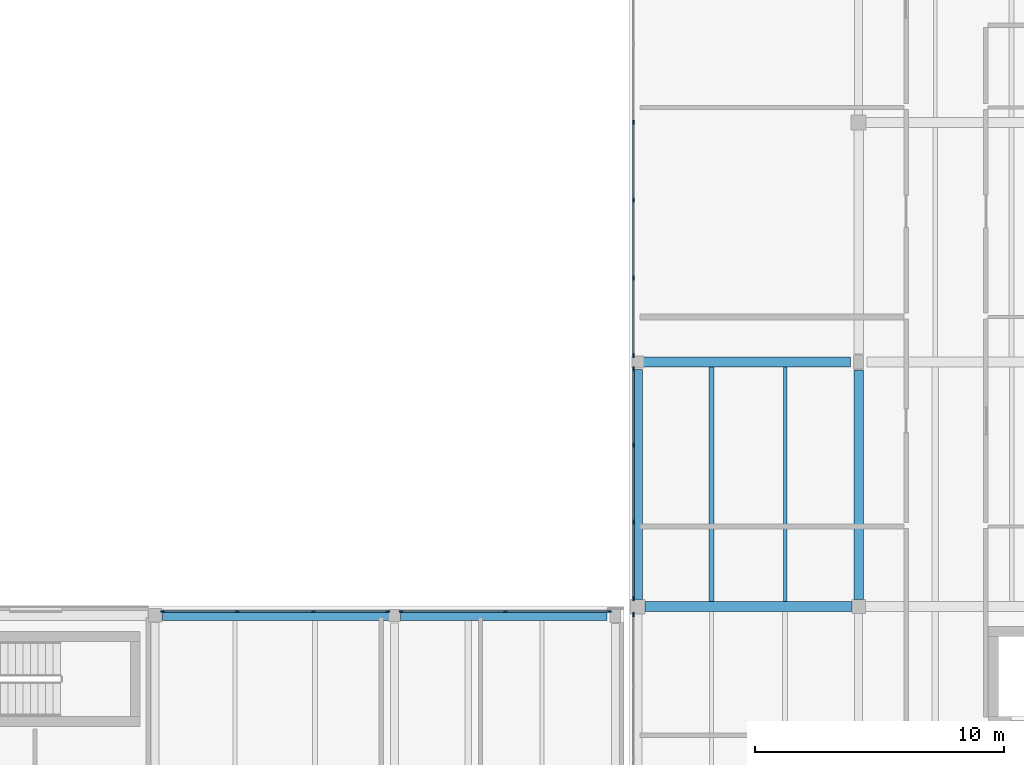
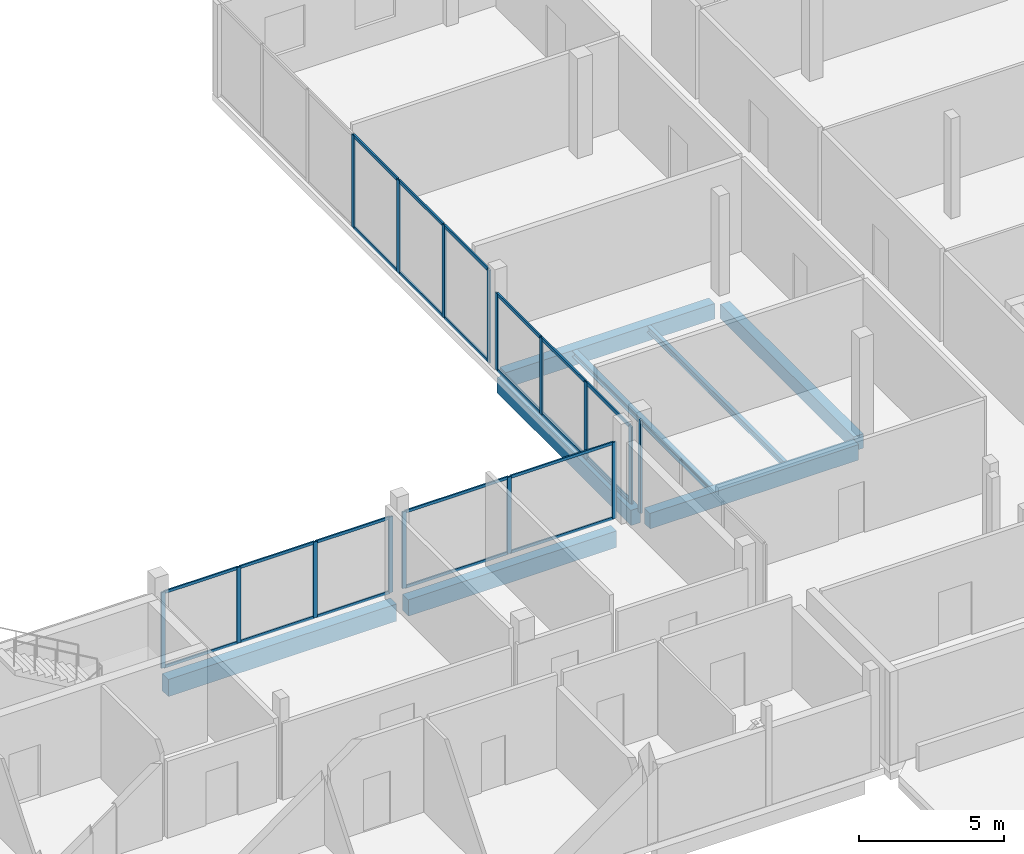
# One storey, part 17 of 66: 38 members, 8 beams, 5 elements without a shape of their own.
"""IFC4 building model written with IfcOpenShell, lengths in metres."""

from ifc_helpers import new_model, si_unit, direction, frame, origin, origin_2d, place, context, subcontext, project, spatial, rectangle, i_section, extrude, material, layer, layer_set, material_profile, profile_set, type_object, element, aggregate, save


model = new_model("IFC4")

# Units and contexts
model_context = context("Model", 3, precision=1e-05, world=origin(), true_north=direction((0.0, 1.0)))
body_context = subcontext(model_context, "Body", "Model", "MODEL_VIEW")
ifc_project = project(units=[si_unit("LENGTHUNIT", "METRE"), si_unit("AREAUNIT", "SQUARE_METRE"), si_unit("VOLUMEUNIT", "CUBIC_METRE"), si_unit("PLANEANGLEUNIT", "RADIAN"), si_unit("MASSUNIT", "GRAM", prefix="KILO")], contexts=[model_context])

# Site, building, storey
site_placement = place(None, origin())
site = spatial("IfcSite", under=ifc_project, at=site_placement, CompositionType="ELEMENT")
building_placement = place(site_placement, origin())
building = spatial("IfcBuilding", under=site, at=building_placement, Name="Birchvale Park Specialist Clinic", CompositionType="ELEMENT")
storey_placement = place(building_placement, frame((0.0, 0.0, 5.39990234375)))
storey = spatial("IfcBuildingStorey", under=building, at=storey_placement, Name="L01", CompositionType="ELEMENT", Elevation=5.39990234375)

# Beams
ifc_material_1 = material(Name="Concrete C40/50", Category="concrete")
ifc_material_profile_1 = material_profile(ifc_material_1, rectangle(XDim=0.419921875, YDim=0.719970703125, at=origin_2d()), Name="RCB-420x720")
ifc_profile_set_1 = profile_set([ifc_material_profile_1], Name="Concrete C40/50")
beam_type_1 = type_object("IfcBeamType", Name="BM-EXT-BG3", PredefinedType="BEAM", material=ifc_profile_set_1)
beam_1_placement = place(storey_placement, frame((100.090087890625, 34.25, -0.639892578125), z_axis=(1.0, 0.0, 0.0), x_axis=(0.0, 1.0, 0.0)))
element("IfcBeam", 1, at=beam_1_placement, inside=storey, type_object=beam_type_1, Name="V4 L01 X girder 19", PredefinedType="BEAM", context=body_context, shape_type="SweptSolid", body=[
    extrude(rectangle(XDim=0.419921875, YDim=0.719970703125, at=origin_2d()), origin(), (0.0, 0.0, 1.0), 9.074951171875),
])
ifc_material_profile_2 = material_profile(ifc_material_1, rectangle(XDim=0.39990234375, YDim=0.68994140625, at=origin_2d()), Name="RCB-400x690")
ifc_profile_set_2 = profile_set([ifc_material_profile_2], Name="Concrete C40/50")
beam_type_2 = type_object("IfcBeamType", Name="BM-EXT-BG4", PredefinedType="BEAM", material=ifc_profile_set_2)
beam_2_placement = place(storey_placement, frame((109.635009765625, 34.25, -0.625), z_axis=(1.0, 0.0, 0.0), x_axis=(0.0, 1.0, 0.0)))
element("IfcBeam", 2, at=beam_2_placement, inside=storey, type_object=beam_type_2, Name="V4 L01 X girder 20", PredefinedType="BEAM", context=body_context, shape_type="SweptSolid", body=[
    extrude(rectangle(XDim=0.39990234375, YDim=0.68994140625, at=origin_2d()), origin(), (0.0, 0.0, 1.0), 8.27490234375),
])
ifc_material_profile_3 = material_profile(ifc_material_1, rectangle(XDim=0.3798828125, YDim=0.639892578125, at=origin_2d()), Name="RCB-380x640")
ifc_profile_set_3 = profile_set([ifc_material_profile_3], Name="Concrete C40/50")
beam_type_3 = type_object("IfcBeamType", Name="BM-EXT-BG5", PredefinedType="BEAM", material=ifc_profile_set_3)
beam_3_placement = place(storey_placement, frame((119.14990234375, 34.889892578125, -0.619873046875), z_axis=(0.0, 1.0, 0.0), x_axis=(-1.0, 0.0, 0.0)))
element("IfcBeam", 3, at=beam_3_placement, inside=storey, type_object=beam_type_3, Name="V5 L01 Y girder 39", PredefinedType="BEAM", context=body_context, shape_type="SweptSolid", body=[
    extrude(rectangle(XDim=0.3798828125, YDim=0.639892578125, at=origin_2d()), origin(), (0.0, 0.0, 1.0), 9.22021484375),
])
ifc_material_profile_4 = material_profile(ifc_material_1, rectangle(XDim=0.39990234375, YDim=0.64990234375, at=origin_2d()), Name="RCB-400x650")
ifc_profile_set_4 = profile_set([ifc_material_profile_4], Name="Concrete C40/50")
beam_type_4 = type_object("IfcBeamType", Name="BM-INT-BG4", PredefinedType="BEAM", material=ifc_profile_set_4)
beam_4_placement = place(storey_placement, frame((119.43994140625, 34.60009765625, -0.625), z_axis=(1.0, 0.0, 0.0), x_axis=(0.0, 1.0, 0.0)))
element("IfcBeam", 4, at=beam_4_placement, inside=storey, type_object=beam_type_4, Name="V5 L01 X girder 21", PredefinedType="BEAM", context=body_context, shape_type="SweptSolid", body=[
    extrude(rectangle(XDim=0.39990234375, YDim=0.64990234375, at=origin_2d()), origin(), (0.0, 0.0, 1.0), 8.28515625),
])
beam_5_placement = place(storey_placement, frame((119.360107421875, 44.39990234375, -0.625), z_axis=(1.0, 0.0, 0.0), x_axis=(0.0, 1.0, 0.0)))
element("IfcBeam", 5, at=beam_5_placement, inside=storey, type_object=beam_type_4, Name="V5 L01 X girder 26", PredefinedType="BEAM", context=body_context, shape_type="SweptSolid", body=[
    extrude(rectangle(XDim=0.39990234375, YDim=0.64990234375, at=origin_2d()), origin(), (0.0, 0.0, 1.0), 8.31494140625),
])
ifc_material_profile_5 = material_profile(ifc_material_1, rectangle(XDim=0.3798828125, YDim=0.60009765625, at=origin_2d()), Name="RCB-380x600")
ifc_profile_set_5 = profile_set([ifc_material_profile_5], Name="Concrete C40/50")
beam_type_5 = type_object("IfcBeamType", Name="BM-INT-BG5", PredefinedType="BEAM", material=ifc_profile_set_5)
beam_6_placement = place(storey_placement, frame((128.0, 34.875, -0.599853515625), z_axis=(0.0, 1.0, 0.0), x_axis=(-1.0, 0.0, 0.0)))
element("IfcBeam", 6, at=beam_6_placement, inside=storey, type_object=beam_type_5, Name="V5 L01 Y girder 44", PredefinedType="BEAM", context=body_context, shape_type="SweptSolid", body=[
    extrude(rectangle(XDim=0.3798828125, YDim=0.60009765625, at=origin_2d()), origin(), (0.0, 0.0, 1.0), 9.199951171875),
])

# Curtain wall, members
ifc_material_2 = material(Name="Thermally broken anodised aluminium", Category="aluminium")
ifc_layer_1 = layer(ifc_material_2, 0.179931640625)
ifc_layer_set_1 = layer_set([ifc_layer_1], Name="Thermally broken anodised aluminium")
curtain_wall_type_1 = type_object("IfcCurtainWallType", Name="CW-U1", PredefinedType="USERDEFINED", material=ifc_layer_set_1)
curtain_wall_1_placement = place(storey_placement, origin())
curtain_wall_1 = element("IfcCurtainWall", 7, at=curtain_wall_1_placement, inside=storey, type_object=curtain_wall_type_1, Name="V4 L01 glazed curtain wall 88", ObjectType="UNITISED", PredefinedType="USERDEFINED")
ifc_material_profile_6 = material_profile(ifc_material_2, rectangle(XDim=0.06005859375, YDim=0.159912109375, at=origin_2d()), Name="CWM-60x160")
ifc_profile_set_6 = profile_set([ifc_material_profile_6], Name="Thermally broken anodised aluminium")
member_type_1 = type_object("IfcMemberType", Name="CWM1", PredefinedType="MULLION", material=ifc_profile_set_6)
member_1_placement = place(storey_placement, frame((118.010009765625, 34.409912109375, 0.0), z_axis=(0.0, 0.0, 1.0), x_axis=(0.0, -1.0, 0.0)))
member_1 = element("IfcMember", 8, at=member_1_placement, type_object=member_type_1, Name="CW mullion 1", PredefinedType="MULLION", context=body_context, shape_type="SweptSolid", body=[
    extrude(rectangle(XDim=0.06005859375, YDim=0.159912109375, at=origin_2d()), origin(), (0.0, 0.0, 1.0), 3.215087890625),
])
member_2_placement = place(storey_placement, frame((113.840087890625, 34.409912109375, 0.0), z_axis=(0.0, 0.0, 1.0), x_axis=(0.0, -1.0, 0.0)))
member_2 = element("IfcMember", 9, at=member_2_placement, type_object=member_type_1, Name="CW mullion 2", PredefinedType="MULLION", context=body_context, shape_type="SweptSolid", body=[
    extrude(rectangle(XDim=0.06005859375, YDim=0.159912109375, at=origin_2d()), origin(), (0.0, 0.0, 1.0), 3.215087890625),
])
member_3_placement = place(storey_placement, frame((109.669921875, 34.409912109375, 0.0), z_axis=(0.0, 0.0, 1.0), x_axis=(0.0, -1.0, 0.0)))
member_3 = element("IfcMember", 10, at=member_3_placement, type_object=member_type_1, Name="CW mullion 3", PredefinedType="MULLION", context=body_context, shape_type="SweptSolid", body=[
    extrude(rectangle(XDim=0.06005859375, YDim=0.159912109375, at=origin_2d()), origin(), (0.0, 0.0, 1.0), 3.215087890625),
])

curtain_wall_2_placement = place(storey_placement, origin())
curtain_wall_2 = element("IfcCurtainWall", 11, at=curtain_wall_2_placement, inside=storey, type_object=curtain_wall_type_1, Name="V4 L01 glazed curtain wall 89", ObjectType="UNITISED", PredefinedType="USERDEFINED")
member_4_placement = place(storey_placement, frame((109.1298828125, 34.409912109375, 0.0), z_axis=(0.0, 0.0, 1.0), x_axis=(0.0, -1.0, 0.0)))
member_4 = element("IfcMember", 12, at=member_4_placement, type_object=member_type_1, Name="CW mullion 1", PredefinedType="MULLION", context=body_context, shape_type="SweptSolid", body=[
    extrude(rectangle(XDim=0.06005859375, YDim=0.159912109375, at=origin_2d()), origin(), (0.0, 0.0, 1.0), 3.18505859375),
])
member_5_placement = place(storey_placement, frame((106.12841796875, 34.409912109375, 0.0), z_axis=(0.0, 0.0, 1.0), x_axis=(0.0, -1.0, 0.0)))
member_5 = element("IfcMember", 13, at=member_5_placement, type_object=member_type_1, Name="CW mullion 2", PredefinedType="MULLION", context=body_context, shape_type="SweptSolid", body=[
    extrude(rectangle(XDim=0.06005859375, YDim=0.159912109375, at=origin_2d()), origin(), (0.0, 0.0, 1.0), 3.18505859375),
])
member_6_placement = place(storey_placement, frame((103.0966796875, 34.409912109375, 0.0), z_axis=(0.0, 0.0, 1.0), x_axis=(0.0, -1.0, 0.0)))
member_6 = element("IfcMember", 14, at=member_6_placement, type_object=member_type_1, Name="CW mullion 3", PredefinedType="MULLION", context=body_context, shape_type="SweptSolid", body=[
    extrude(rectangle(XDim=0.06005859375, YDim=0.159912109375, at=origin_2d()), origin(), (0.0, 0.0, 1.0), 3.18505859375),
])
member_7_placement = place(storey_placement, frame((100.094970703125, 34.409912109375, 0.0), z_axis=(0.0, 0.0, 1.0), x_axis=(0.0, -1.0, 0.0)))
member_7 = element("IfcMember", 15, at=member_7_placement, type_object=member_type_1, Name="CW mullion 4", PredefinedType="MULLION", context=body_context, shape_type="SweptSolid", body=[
    extrude(rectangle(XDim=0.06005859375, YDim=0.159912109375, at=origin_2d()), origin(), (0.0, 0.0, 1.0), 3.18505859375),
])

ifc_layer_2 = layer(ifc_material_2, 0.195068359375)
ifc_layer_set_2 = layer_set([ifc_layer_2], Name="Thermally broken anodised aluminium")
curtain_wall_type_2 = type_object("IfcCurtainWallType", Name="CW-U2", PredefinedType="USERDEFINED", material=ifc_layer_set_2)
curtain_wall_3_placement = place(storey_placement, origin())
curtain_wall_3 = element("IfcCurtainWall", 16, at=curtain_wall_3_placement, inside=storey, type_object=curtain_wall_type_2, Name="V5 L01 glazed curtain wall 92", ObjectType="UNITISED", PredefinedType="USERDEFINED")
ifc_material_profile_7 = material_profile(ifc_material_2, rectangle(XDim=0.06494140625, YDim=0.179931640625, at=origin_2d()), Name="CWM-65x180")
ifc_profile_set_7 = profile_set([ifc_material_profile_7], Name="Thermally broken anodised aluminium")
member_type_2 = type_object("IfcMemberType", Name="CWM2", PredefinedType="MULLION", material=ifc_profile_set_7)
member_8_placement = place(storey_placement, frame((118.97509765625, 54.010009765625, 0.0), z_axis=(0.0, 0.0, 1.0), x_axis=(1.0, 0.0, 0.0)))
member_8 = element("IfcMember", 17, at=member_8_placement, type_object=member_type_2, Name="CW mullion 4", PredefinedType="MULLION", context=body_context, shape_type="SweptSolid", body=[
    extrude(rectangle(XDim=0.06494140625, YDim=0.179931640625, at=origin_2d()), origin(), (0.0, 0.0, 1.0), 3.900146484375),
])
member_9_placement = place(storey_placement, frame((118.97509765625, 50.88671875, 0.0), z_axis=(0.0, 0.0, 1.0), x_axis=(1.0, 0.0, 0.0)))
member_9 = element("IfcMember", 18, at=member_9_placement, type_object=member_type_2, Name="CW mullion 5", PredefinedType="MULLION", context=body_context, shape_type="SweptSolid", body=[
    extrude(rectangle(XDim=0.06494140625, YDim=0.179931640625, at=origin_2d()), origin(), (0.0, 0.0, 1.0), 3.900146484375),
])
member_10_placement = place(storey_placement, frame((118.97509765625, 47.763427734375, 0.0), z_axis=(0.0, 0.0, 1.0), x_axis=(1.0, 0.0, 0.0)))
member_10 = element("IfcMember", 19, at=member_10_placement, type_object=member_type_2, Name="CW mullion 6", PredefinedType="MULLION", context=body_context, shape_type="SweptSolid", body=[
    extrude(rectangle(XDim=0.06494140625, YDim=0.179931640625, at=origin_2d()), origin(), (0.0, 0.0, 1.0), 3.900146484375),
])
member_11_placement = place(storey_placement, frame((118.97509765625, 44.672607421875, 0.0), z_axis=(0.0, 0.0, 1.0), x_axis=(1.0, 0.0, 0.0)))
member_11 = element("IfcMember", 20, at=member_11_placement, type_object=member_type_2, Name="CW mullion 7", PredefinedType="MULLION", context=body_context, shape_type="SweptSolid", body=[
    extrude(rectangle(XDim=0.06494140625, YDim=0.179931640625, at=origin_2d()), origin(), (0.0, 0.0, 1.0), 3.900146484375),
])

curtain_wall_4_placement = place(storey_placement, origin())
curtain_wall_4 = element("IfcCurtainWall", 21, at=curtain_wall_4_placement, inside=storey, type_object=curtain_wall_type_2, Name="V5 L01 glazed curtain wall 93", ObjectType="UNITISED", PredefinedType="USERDEFINED")
member_12_placement = place(storey_placement, frame((118.97509765625, 44.12744140625, 0.0), z_axis=(0.0, 0.0, 1.0), x_axis=(1.0, 0.0, 0.0)))
member_12 = element("IfcMember", 22, at=member_12_placement, type_object=member_type_2, Name="CW mullion 1", PredefinedType="MULLION", context=body_context, shape_type="SweptSolid", body=[
    extrude(rectangle(XDim=0.06494140625, YDim=0.179931640625, at=origin_2d()), origin(), (0.0, 0.0, 1.0), 3.235107421875),
])
member_13_placement = place(storey_placement, frame((118.97509765625, 41.070068359375, 0.0), z_axis=(0.0, 0.0, 1.0), x_axis=(1.0, 0.0, 0.0)))
member_13 = element("IfcMember", 23, at=member_13_placement, type_object=member_type_2, Name="CW mullion 2", PredefinedType="MULLION", context=body_context, shape_type="SweptSolid", body=[
    extrude(rectangle(XDim=0.06494140625, YDim=0.179931640625, at=origin_2d()), origin(), (0.0, 0.0, 1.0), 3.235107421875),
])
member_14_placement = place(storey_placement, frame((118.97509765625, 37.97998046875, 0.0), z_axis=(0.0, 0.0, 1.0), x_axis=(1.0, 0.0, 0.0)))
member_14 = element("IfcMember", 24, at=member_14_placement, type_object=member_type_2, Name="CW mullion 3", PredefinedType="MULLION", context=body_context, shape_type="SweptSolid", body=[
    extrude(rectangle(XDim=0.06494140625, YDim=0.179931640625, at=origin_2d()), origin(), (0.0, 0.0, 1.0), 3.235107421875),
])
member_15_placement = place(storey_placement, frame((118.97509765625, 34.922607421875, 0.0), z_axis=(0.0, 0.0, 1.0), x_axis=(1.0, 0.0, 0.0)))
member_15 = element("IfcMember", 25, at=member_15_placement, type_object=member_type_2, Name="CW mullion 4", PredefinedType="MULLION", context=body_context, shape_type="SweptSolid", body=[
    extrude(rectangle(XDim=0.06494140625, YDim=0.179931640625, at=origin_2d()), origin(), (0.0, 0.0, 1.0), 3.235107421875),
])

# Curtain wall, member
curtain_wall_5_placement = place(storey_placement, origin())
curtain_wall_5 = element("IfcCurtainWall", 26, at=curtain_wall_5_placement, inside=storey, type_object=curtain_wall_type_2, Name="V5 L01 glazed curtain wall 94", ObjectType="UNITISED", PredefinedType="USERDEFINED")
member_16_placement = place(storey_placement, frame((118.97509765625, 34.277587890625, 0.0), z_axis=(0.0, 0.0, 1.0), x_axis=(1.0, 0.0, 0.0)))
member_16 = element("IfcMember", 27, at=member_16_placement, type_object=member_type_2, Name="CW mullion 1", PredefinedType="MULLION", context=body_context, shape_type="SweptSolid", body=[
    extrude(rectangle(XDim=0.06494140625, YDim=0.179931640625, at=origin_2d()), origin(), (0.0, 0.0, 1.0), 3.900146484375),
])
aggregate(curtain_wall_5, [member_16])

# Member
ifc_material_profile_8 = material_profile(ifc_material_2, rectangle(XDim=0.06005859375, YDim=0.1201171875, at=origin_2d()), Name="CWT-60x120")
ifc_profile_set_8 = profile_set([ifc_material_profile_8], Name="Thermally broken anodised aluminium")
member_type_3 = type_object("IfcMemberType", Name="CWT1", PredefinedType="USERDEFINED", material=ifc_profile_set_8)
member_17_placement = place(storey_placement, frame((117.97998046875, 34.409912109375, 0.030029296875), z_axis=(-1.0, 0.0, 0.0), x_axis=(0.0, -1.0, 0.0)))
member_17 = element("IfcMember", 28, at=member_17_placement, type_object=member_type_3, Name="CW transom 1.1", ObjectType="TRANSOM", PredefinedType="USERDEFINED", context=body_context, shape_type="SweptSolid", body=[
    extrude(rectangle(XDim=0.06005859375, YDim=0.1201171875, at=origin_2d()), origin(), (0.0, 0.0, 1.0), 4.10986328125),
])

member_18_placement = place(storey_placement, frame((117.97998046875, 34.409912109375, 3.18505859375), z_axis=(-1.0, 0.0, 0.0), x_axis=(0.0, -1.0, 0.0)))
member_18 = element("IfcMember", 29, at=member_18_placement, type_object=member_type_3, Name="CW transom 1.2", ObjectType="TRANSOM", PredefinedType="USERDEFINED", context=body_context, shape_type="SweptSolid", body=[
    extrude(rectangle(XDim=0.06005859375, YDim=0.1201171875, at=origin_2d()), origin(), (0.0, 0.0, 1.0), 4.10986328125),
])

member_19_placement = place(storey_placement, frame((113.81005859375, 34.409912109375, 0.030029296875), z_axis=(-1.0, 0.0, 0.0), x_axis=(0.0, -1.0, 0.0)))
member_19 = element("IfcMember", 30, at=member_19_placement, type_object=member_type_3, Name="CW transom 2.1", ObjectType="TRANSOM", PredefinedType="USERDEFINED", context=body_context, shape_type="SweptSolid", body=[
    extrude(rectangle(XDim=0.06005859375, YDim=0.1201171875, at=origin_2d()), origin(), (0.0, 0.0, 1.0), 4.110107421875),
])

member_20_placement = place(storey_placement, frame((113.81005859375, 34.409912109375, 3.18505859375), z_axis=(-1.0, 0.0, 0.0), x_axis=(0.0, -1.0, 0.0)))
member_20 = element("IfcMember", 31, at=member_20_placement, type_object=member_type_3, Name="CW transom 2.2", ObjectType="TRANSOM", PredefinedType="USERDEFINED", context=body_context, shape_type="SweptSolid", body=[
    extrude(rectangle(XDim=0.06005859375, YDim=0.1201171875, at=origin_2d()), origin(), (0.0, 0.0, 1.0), 4.110107421875),
])

aggregate(curtain_wall_1, [member_1, member_2, member_3, member_17, member_18, member_19, member_20])

member_21_placement = place(storey_placement, frame((109.10009765625, 34.409912109375, 0.030029296875), z_axis=(-1.0, 0.0, 0.0), x_axis=(0.0, -1.0, 0.0)))
member_21 = element("IfcMember", 32, at=member_21_placement, type_object=member_type_3, Name="CW transom 1.1", ObjectType="TRANSOM", PredefinedType="USERDEFINED", context=body_context, shape_type="SweptSolid", body=[
    extrude(rectangle(XDim=0.06005859375, YDim=0.1201171875, at=origin_2d()), origin(), (0.0, 0.0, 1.0), 2.941650390625),
])

member_22_placement = place(storey_placement, frame((109.10009765625, 34.409912109375, 3.155029296875), z_axis=(-1.0, 0.0, 0.0), x_axis=(0.0, -1.0, 0.0)))
member_22 = element("IfcMember", 33, at=member_22_placement, type_object=member_type_3, Name="CW transom 1.2", ObjectType="TRANSOM", PredefinedType="USERDEFINED", context=body_context, shape_type="SweptSolid", body=[
    extrude(rectangle(XDim=0.06005859375, YDim=0.1201171875, at=origin_2d()), origin(), (0.0, 0.0, 1.0), 2.941650390625),
])

member_23_placement = place(storey_placement, frame((106.098388671875, 34.409912109375, 0.030029296875), z_axis=(-1.0, 0.0, 0.0), x_axis=(0.0, -1.0, 0.0)))
member_23 = element("IfcMember", 34, at=member_23_placement, type_object=member_type_3, Name="CW transom 2.1", ObjectType="TRANSOM", PredefinedType="USERDEFINED", context=body_context, shape_type="SweptSolid", body=[
    extrude(rectangle(XDim=0.06005859375, YDim=0.1201171875, at=origin_2d()), origin(), (0.0, 0.0, 1.0), 2.9716796875),
])

member_24_placement = place(storey_placement, frame((106.098388671875, 34.409912109375, 3.155029296875), z_axis=(-1.0, 0.0, 0.0), x_axis=(0.0, -1.0, 0.0)))
member_24 = element("IfcMember", 35, at=member_24_placement, type_object=member_type_3, Name="CW transom 2.2", ObjectType="TRANSOM", PredefinedType="USERDEFINED", context=body_context, shape_type="SweptSolid", body=[
    extrude(rectangle(XDim=0.06005859375, YDim=0.1201171875, at=origin_2d()), origin(), (0.0, 0.0, 1.0), 2.9716796875),
])

member_25_placement = place(storey_placement, frame((103.066650390625, 34.409912109375, 0.030029296875), z_axis=(-1.0, 0.0, 0.0), x_axis=(0.0, -1.0, 0.0)))
member_25 = element("IfcMember", 36, at=member_25_placement, type_object=member_type_3, Name="CW transom 3.1", ObjectType="TRANSOM", PredefinedType="USERDEFINED", context=body_context, shape_type="SweptSolid", body=[
    extrude(rectangle(XDim=0.06005859375, YDim=0.1201171875, at=origin_2d()), origin(), (0.0, 0.0, 1.0), 2.941650390625),
])

member_26_placement = place(storey_placement, frame((103.066650390625, 34.409912109375, 3.155029296875), z_axis=(-1.0, 0.0, 0.0), x_axis=(0.0, -1.0, 0.0)))
member_26 = element("IfcMember", 37, at=member_26_placement, type_object=member_type_3, Name="CW transom 3.2", ObjectType="TRANSOM", PredefinedType="USERDEFINED", context=body_context, shape_type="SweptSolid", body=[
    extrude(rectangle(XDim=0.06005859375, YDim=0.1201171875, at=origin_2d()), origin(), (0.0, 0.0, 1.0), 2.941650390625),
])

aggregate(curtain_wall_2, [member_4, member_5, member_6, member_7, member_21, member_22, member_23, member_24, member_25, member_26])

ifc_material_profile_9 = material_profile(ifc_material_2, rectangle(XDim=0.06494140625, YDim=0.139892578125, at=origin_2d()), Name="CWT-65x140")
ifc_profile_set_9 = profile_set([ifc_material_profile_9], Name="Thermally broken anodised aluminium")
member_type_4 = type_object("IfcMemberType", Name="CWT2", PredefinedType="USERDEFINED", material=ifc_profile_set_9)
member_27_placement = place(storey_placement, frame((118.97509765625, 53.9775390625, 0.03271484375), z_axis=(0.0, -1.0, 0.0), x_axis=(1.0, 0.0, 0.0)))
member_27 = element("IfcMember", 38, at=member_27_placement, type_object=member_type_4, Name="CW transom 4.1", ObjectType="TRANSOM", PredefinedType="USERDEFINED", context=body_context, shape_type="SweptSolid", body=[
    extrude(rectangle(XDim=0.06494140625, YDim=0.139892578125, at=origin_2d()), origin(), (0.0, 0.0, 1.0), 3.058349609375),
])

member_28_placement = place(storey_placement, frame((118.97509765625, 53.9775390625, 3.86767578125), z_axis=(0.0, -1.0, 0.0), x_axis=(1.0, 0.0, 0.0)))
member_28 = element("IfcMember", 39, at=member_28_placement, type_object=member_type_4, Name="CW transom 4.2", ObjectType="TRANSOM", PredefinedType="USERDEFINED", context=body_context, shape_type="SweptSolid", body=[
    extrude(rectangle(XDim=0.06494140625, YDim=0.139892578125, at=origin_2d()), origin(), (0.0, 0.0, 1.0), 3.058349609375),
])

member_29_placement = place(storey_placement, frame((118.97509765625, 50.854248046875, 0.03271484375), z_axis=(0.0, -1.0, 0.0), x_axis=(1.0, 0.0, 0.0)))
member_29 = element("IfcMember", 40, at=member_29_placement, type_object=member_type_4, Name="CW transom 5.1", ObjectType="TRANSOM", PredefinedType="USERDEFINED", context=body_context, shape_type="SweptSolid", body=[
    extrude(rectangle(XDim=0.06494140625, YDim=0.139892578125, at=origin_2d()), origin(), (0.0, 0.0, 1.0), 3.058349609375),
])

member_30_placement = place(storey_placement, frame((118.97509765625, 50.854248046875, 3.86767578125), z_axis=(0.0, -1.0, 0.0), x_axis=(1.0, 0.0, 0.0)))
member_30 = element("IfcMember", 41, at=member_30_placement, type_object=member_type_4, Name="CW transom 5.2", ObjectType="TRANSOM", PredefinedType="USERDEFINED", context=body_context, shape_type="SweptSolid", body=[
    extrude(rectangle(XDim=0.06494140625, YDim=0.139892578125, at=origin_2d()), origin(), (0.0, 0.0, 1.0), 3.058349609375),
])

member_31_placement = place(storey_placement, frame((118.97509765625, 47.730712890625, 0.03271484375), z_axis=(0.0, -1.0, 0.0), x_axis=(1.0, 0.0, 0.0)))
member_31 = element("IfcMember", 42, at=member_31_placement, type_object=member_type_4, Name="CW transom 6.1", ObjectType="TRANSOM", PredefinedType="USERDEFINED", context=body_context, shape_type="SweptSolid", body=[
    extrude(rectangle(XDim=0.06494140625, YDim=0.139892578125, at=origin_2d()), origin(), (0.0, 0.0, 1.0), 3.025634765625),
])

member_32_placement = place(storey_placement, frame((118.97509765625, 47.730712890625, 3.86767578125), z_axis=(0.0, -1.0, 0.0), x_axis=(1.0, 0.0, 0.0)))
member_32 = element("IfcMember", 43, at=member_32_placement, type_object=member_type_4, Name="CW transom 6.2", ObjectType="TRANSOM", PredefinedType="USERDEFINED", context=body_context, shape_type="SweptSolid", body=[
    extrude(rectangle(XDim=0.06494140625, YDim=0.139892578125, at=origin_2d()), origin(), (0.0, 0.0, 1.0), 3.025634765625),
])

aggregate(curtain_wall_3, [member_8, member_9, member_10, member_11, member_27, member_28, member_29, member_30, member_31, member_32])

member_33_placement = place(storey_placement, frame((118.97509765625, 44.094970703125, 0.03271484375), z_axis=(0.0, -1.0, 0.0), x_axis=(1.0, 0.0, 0.0)))
member_33 = element("IfcMember", 44, at=member_33_placement, type_object=member_type_4, Name="CW transom 1.1", ObjectType="TRANSOM", PredefinedType="USERDEFINED", context=body_context, shape_type="SweptSolid", body=[
    extrude(rectangle(XDim=0.06494140625, YDim=0.139892578125, at=origin_2d()), origin(), (0.0, 0.0, 1.0), 2.992431640625),
])

member_34_placement = place(storey_placement, frame((118.97509765625, 44.094970703125, 3.20263671875), z_axis=(0.0, -1.0, 0.0), x_axis=(1.0, 0.0, 0.0)))
member_34 = element("IfcMember", 45, at=member_34_placement, type_object=member_type_4, Name="CW transom 1.2", ObjectType="TRANSOM", PredefinedType="USERDEFINED", context=body_context, shape_type="SweptSolid", body=[
    extrude(rectangle(XDim=0.06494140625, YDim=0.139892578125, at=origin_2d()), origin(), (0.0, 0.0, 1.0), 2.992431640625),
])

member_35_placement = place(storey_placement, frame((118.97509765625, 41.03759765625, 0.03271484375), z_axis=(0.0, -1.0, 0.0), x_axis=(1.0, 0.0, 0.0)))
member_35 = element("IfcMember", 46, at=member_35_placement, type_object=member_type_4, Name="CW transom 2.1", ObjectType="TRANSOM", PredefinedType="USERDEFINED", context=body_context, shape_type="SweptSolid", body=[
    extrude(rectangle(XDim=0.06494140625, YDim=0.139892578125, at=origin_2d()), origin(), (0.0, 0.0, 1.0), 3.025146484375),
])

member_36_placement = place(storey_placement, frame((118.97509765625, 41.03759765625, 3.20263671875), z_axis=(0.0, -1.0, 0.0), x_axis=(1.0, 0.0, 0.0)))
member_36 = element("IfcMember", 47, at=member_36_placement, type_object=member_type_4, Name="CW transom 2.2", ObjectType="TRANSOM", PredefinedType="USERDEFINED", context=body_context, shape_type="SweptSolid", body=[
    extrude(rectangle(XDim=0.06494140625, YDim=0.139892578125, at=origin_2d()), origin(), (0.0, 0.0, 1.0), 3.025146484375),
])

member_37_placement = place(storey_placement, frame((118.97509765625, 37.947509765625, 0.03271484375), z_axis=(0.0, -1.0, 0.0), x_axis=(1.0, 0.0, 0.0)))
member_37 = element("IfcMember", 48, at=member_37_placement, type_object=member_type_4, Name="CW transom 3.1", ObjectType="TRANSOM", PredefinedType="USERDEFINED", context=body_context, shape_type="SweptSolid", body=[
    extrude(rectangle(XDim=0.06494140625, YDim=0.139892578125, at=origin_2d()), origin(), (0.0, 0.0, 1.0), 2.992431640625),
])

member_38_placement = place(storey_placement, frame((118.97509765625, 37.947509765625, 3.20263671875), z_axis=(0.0, -1.0, 0.0), x_axis=(1.0, 0.0, 0.0)))
member_38 = element("IfcMember", 49, at=member_38_placement, type_object=member_type_4, Name="CW transom 3.2", ObjectType="TRANSOM", PredefinedType="USERDEFINED", context=body_context, shape_type="SweptSolid", body=[
    extrude(rectangle(XDim=0.06494140625, YDim=0.139892578125, at=origin_2d()), origin(), (0.0, 0.0, 1.0), 2.992431640625),
])

aggregate(curtain_wall_4, [member_12, member_13, member_14, member_15, member_33, member_34, member_35, member_36, member_37, member_38])

# Beams
ifc_material_3 = material(Name="Steel ASTM A992 Grade 50", Category="steel")
ifc_material_profile_10 = material_profile(ifc_material_3, i_section(OverallWidth=0.202880859375, OverallDepth=0.251953125, WebThickness=0.008056640625, FlangeThickness=0.013427734375, at=origin_2d()), Name="W10X39")
ifc_profile_set_10 = profile_set([ifc_material_profile_10], Name="Steel ASTM A992 Grade 50")
beam_type_6 = type_object("IfcBeamType", Name="STL-INT-SJ4", PredefinedType="JOIST", material=ifc_profile_set_10)
beam_7_placement = place(storey_placement, frame((122.10009765625, 34.800048828125, -0.42578125), z_axis=(0.0, 1.0, 0.0), x_axis=(-1.0, 0.0, 0.0)))
element("IfcBeam", 50, at=beam_7_placement, inside=storey, type_object=beam_type_6, Name="V5 L01 secondary floor joist 9", PredefinedType="JOIST", context=body_context, shape_type="SweptSolid", body=[
    extrude(i_section(OverallWidth=0.202880859375, OverallDepth=0.251953125, WebThickness=0.008056640625, FlangeThickness=0.013427734375, at=origin_2d()), origin(), (0.0, 0.0, 1.0), 9.39990234375),
])
ifc_material_profile_11 = material_profile(ifc_material_3, i_section(OverallWidth=0.14697265625, OverallDepth=0.261962890625, WebThickness=0.006591796875, FlangeThickness=0.01123046875, at=origin_2d()), Name="W10X26")
ifc_profile_set_11 = profile_set([ifc_material_profile_11], Name="Steel ASTM A992 Grade 50")
beam_type_7 = type_object("IfcBeamType", Name="STL-INT-SJ5", PredefinedType="JOIST", material=ifc_profile_set_11)
beam_8_placement = place(storey_placement, frame((125.050048828125, 34.800048828125, -0.430908203125), z_axis=(0.0, 1.0, 0.0), x_axis=(-1.0, 0.0, 0.0)))
element("IfcBeam", 51, at=beam_8_placement, inside=storey, type_object=beam_type_7, Name="V5 L01 secondary floor joist 10", PredefinedType="JOIST", context=body_context, shape_type="SweptSolid", body=[
    extrude(i_section(OverallWidth=0.14697265625, OverallDepth=0.261962890625, WebThickness=0.006591796875, FlangeThickness=0.01123046875, at=origin_2d()), origin(), (0.0, 0.0, 1.0), 9.39990234375),
])

save(model, "model.ifc")
